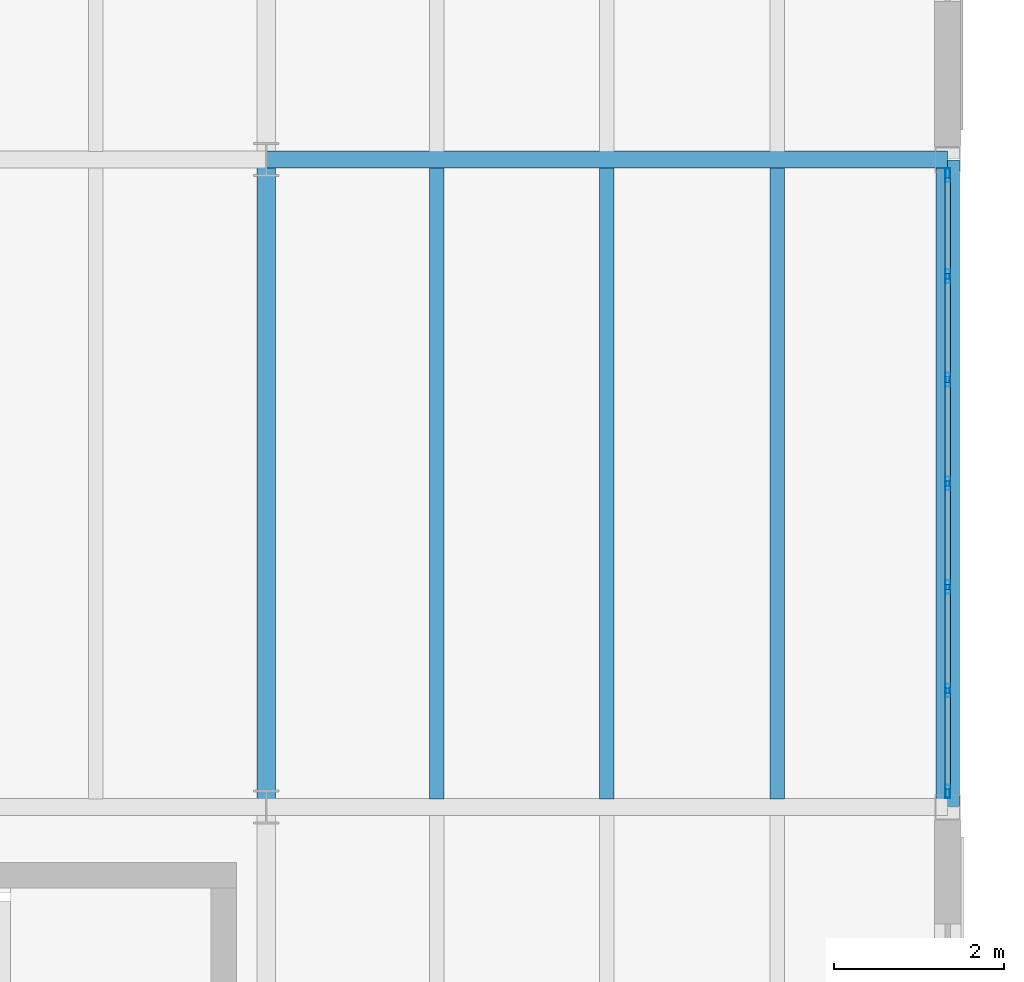
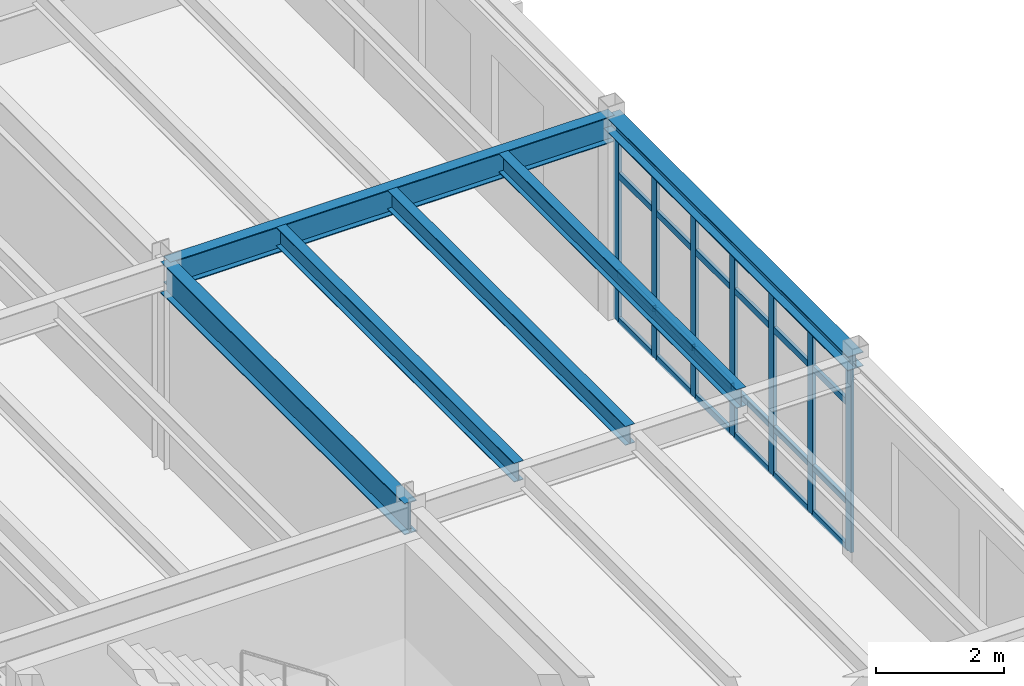
# One storey, part 102 of 165: 31 members, 6 beams, 1 element without a shape of its own.
"""IFC4 building model written with IfcOpenShell, lengths in metres."""

from ifc_helpers import new_model, si_unit, direction, frame, origin, origin_2d, place, context, subcontext, project, spatial, hollow_rectangle, i_section, extrude, material, layer, layer_set, material_profile, profile_set, type_object, element, aggregate, save


model = new_model("IFC4")

# Units and contexts
model_context = context("Model", 3, precision=1e-05, world=origin(), true_north=direction((0.0, 1.0)))
body_context = subcontext(model_context, "Body", "Model", "MODEL_VIEW")
ifc_project = project(units=[si_unit("LENGTHUNIT", "METRE"), si_unit("AREAUNIT", "SQUARE_METRE"), si_unit("VOLUMEUNIT", "CUBIC_METRE"), si_unit("PLANEANGLEUNIT", "RADIAN"), si_unit("MASSUNIT", "GRAM", prefix="KILO")], contexts=[model_context])

# Site, building, storey
site_placement = place(None, origin())
site = spatial("IfcSite", under=ifc_project, at=site_placement, CompositionType="ELEMENT")
building_placement = place(site_placement, origin())
building = spatial("IfcBuilding", under=site, at=building_placement, Name="Montecoro Central Library", CompositionType="ELEMENT")
storey_placement = place(building_placement, frame((0.0, 0.0, 5.10009765625)))
storey = spatial("IfcBuildingStorey", under=building, at=storey_placement, Name="L01", CompositionType="ELEMENT", Elevation=5.10009765625)

# Beams
ifc_material_1 = material(Name="Steel S355", Category="steel")
ifc_material_profile_1 = material_profile(ifc_material_1, i_section(OverallWidth=0.199951171875, OverallDepth=0.5, WebThickness=0.01025390625, FlangeThickness=0.01611328125, at=origin_2d()), Name="IPE 500")
ifc_profile_set_1 = profile_set([ifc_material_profile_1], Name="Steel S355")
beam_type_1 = type_object("IfcBeamType", Name="BM-G-IPE500", PredefinedType="USERDEFINED", material=ifc_profile_set_1)
beam_1_placement = place(storey_placement, frame((165.0048828125, 20.199951171875, 3.574951171875), z_axis=(1.0, 0.0, 0.0), x_axis=(0.0, 1.0, 0.0)))
element("IfcBeam", 1, at=beam_1_placement, inside=storey, type_object=beam_type_1, Name="V6-L01-BX-2122-C", ObjectType="GIRDER", PredefinedType="USERDEFINED", context=body_context, shape_type="SweptSolid", body=[
    extrude(i_section(OverallWidth=0.199951171875, OverallDepth=0.5, WebThickness=0.01025390625, FlangeThickness=0.01611328125, at=origin_2d()), origin(), (0.0, 0.0, 1.0), 7.990234375),
])
ifc_material_2 = material(Name="Steel S355J2", Category="steel")
ifc_material_profile_2 = material_profile(ifc_material_2, i_section(OverallWidth=0.219970703125, OverallDepth=0.60009765625, WebThickness=0.011962890625, FlangeThickness=0.01904296875, at=origin_2d()), Name="IPE 600")
ifc_profile_set_2 = profile_set([ifc_material_profile_2], Name="Steel S355J2")
beam_type_2 = type_object("IfcBeamType", Name="BM-G-IPE600", PredefinedType="USERDEFINED", material=ifc_profile_set_2)
beam_2_placement = place(storey_placement, frame((165.0, 12.60498046875, 3.52490234375), z_axis=(0.0, 1.0, 0.0), x_axis=(-1.0, 0.0, 0.0)))
element("IfcBeam", 2, at=beam_2_placement, inside=storey, type_object=beam_type_2, Name="V6-L01-BY-21-BC", ObjectType="GIRDER", PredefinedType="USERDEFINED", context=body_context, shape_type="SweptSolid", body=[
    extrude(i_section(OverallWidth=0.219970703125, OverallDepth=0.60009765625, WebThickness=0.011962890625, FlangeThickness=0.01904296875, at=origin_2d()), origin(), (0.0, 0.0, 1.0), 7.590087890625),
])
ifc_material_profile_3 = material_profile(ifc_material_1, i_section(OverallWidth=0.169921875, OverallDepth=0.360107421875, WebThickness=0.008056640625, FlangeThickness=0.0126953125, at=origin_2d()), Name="IPE 360")
ifc_profile_set_3 = profile_set([ifc_material_profile_3], Name="Steel S355")
beam_type_3 = type_object("IfcBeamType", Name="BM-J-IPE360", PredefinedType="JOIST", material=ifc_profile_set_3)
for number, where, z_axis, x_axis, name in (
    (3, (167.0, 12.697021484375, 3.64501953125), (0.0, 1.0, 0.0), (-1.0, 0.0, 0.0), "V6-L01-JS-2122-BC-1"),
    (4, (169.0, 12.697021484375, 3.64501953125), (0.0, 1.0, 0.0), (-1.0, 0.0, 0.0), "V6-L01-JS-2122-BC-2"),
    (5, (171.0, 12.697021484375, 3.64501953125), (0.0, 1.0, 0.0), (-1.0, 0.0, 0.0), "V6-L01-JS-2122-BC-3"),
):
    element("IfcBeam", number, at=place(storey_placement, frame(where, z_axis=z_axis, x_axis=x_axis)), inside=storey, type_object=beam_type_3, Name=name, PredefinedType="JOIST", context=body_context, shape_type="SweptSolid", body=[
        extrude(i_section(OverallWidth=0.169921875, OverallDepth=0.360107421875, WebThickness=0.008056640625, FlangeThickness=0.0126953125, at=origin_2d()), origin(), (0.0, 0.0, 1.0), 7.406005859375),
    ])
ifc_material_profile_4 = material_profile(ifc_material_1, i_section(OverallWidth=0.280029296875, OverallDepth=0.27001953125, WebThickness=0.008056640625, FlangeThickness=0.012939453125, at=origin_2d()), Name="HEA 280")
ifc_profile_set_4 = profile_set([ifc_material_profile_4], Name="Steel S355")
beam_type_4 = type_object("IfcBeamType", Name="BM-SP-HEA280", PredefinedType="SPANDREL", material=ifc_profile_set_4)
beam_3_placement = place(storey_placement, frame((173.0, 12.60498046875, 3.68994140625), z_axis=(0.0, 1.0, 0.0), x_axis=(-1.0, 0.0, 0.0)))
element("IfcBeam", 6, at=beam_3_placement, inside=storey, type_object=beam_type_4, Name="V6-L01-BY-22-BC", PredefinedType="SPANDREL", context=body_context, shape_type="SweptSolid", body=[
    extrude(i_section(OverallWidth=0.280029296875, OverallDepth=0.27001953125, WebThickness=0.008056640625, FlangeThickness=0.012939453125, at=origin_2d()), origin(), (0.0, 0.0, 1.0), 7.590087890625),
])

# Curtain wall, members
ifc_material_3 = material(Name="Bronze-anodised aluminium and low-E glazing", Category="aluminium")
ifc_layer = layer(ifc_material_3, 0.159912109375)
ifc_layer_set = layer_set([ifc_layer], Name="Bronze-anodised aluminium and low-E glazing")
curtain_wall_type = type_object("IfcCurtainWallType", Name="CWT-061", PredefinedType="NOTDEFINED", material=ifc_layer_set)
curtain_wall_placement = place(storey_placement, origin())
curtain_wall = element("IfcCurtainWall", 7, at=curtain_wall_placement, inside=storey, type_object=curtain_wall_type, Name="V6-L01-CW-E1", PredefinedType="NOTDEFINED")
ifc_material_4 = material(Name="Bronze-anodised aluminium", Category="aluminium")
ifc_material_profile_5 = material_profile(ifc_material_4, hollow_rectangle(XDim=0.06005859375, YDim=0.159912109375, WallThickness=0.00390625, at=origin_2d()), Name="CWM 160x60x4.0")
ifc_profile_set_5 = profile_set([ifc_material_profile_5], Name="Bronze-anodised aluminium")
member_type_1 = type_object("IfcMemberType", Name="CWM-BRZ-60", PredefinedType="MULLION", material=ifc_profile_set_5)
member_1_placement = place(storey_placement, frame((173.0, 12.782958984375, 0.0), z_axis=(0.0, 0.0, 1.0), x_axis=(-1.0, 0.0, 0.0)))
member_1 = element("IfcMember", 8, at=member_1_placement, type_object=member_type_1, Name="CW-061 mullion 1", PredefinedType="MULLION", context=body_context, shape_type="SweptSolid", body=[
    extrude(hollow_rectangle(XDim=0.06005859375, YDim=0.159912109375, WallThickness=0.00390625, at=origin_2d()), origin(), (0.0, 0.0, 1.0), 3.47998046875),
])
member_2_placement = place(storey_placement, frame((173.0, 13.96875, 0.0), z_axis=(0.0, 0.0, 1.0), x_axis=(-1.0, 0.0, 0.0)))
member_2 = element("IfcMember", 9, at=member_2_placement, type_object=member_type_1, Name="CW-061 mullion 2", PredefinedType="MULLION", context=body_context, shape_type="SweptSolid", body=[
    extrude(hollow_rectangle(XDim=0.06005859375, YDim=0.159912109375, WallThickness=0.00390625, at=origin_2d()), origin(), (0.0, 0.0, 1.0), 3.47998046875),
])
member_3_placement = place(storey_placement, frame((173.0, 15.184326171875, 0.0), z_axis=(0.0, 0.0, 1.0), x_axis=(-1.0, 0.0, 0.0)))
member_3 = element("IfcMember", 10, at=member_3_placement, type_object=member_type_1, Name="CW-061 mullion 3", PredefinedType="MULLION", context=body_context, shape_type="SweptSolid", body=[
    extrude(hollow_rectangle(XDim=0.06005859375, YDim=0.159912109375, WallThickness=0.00390625, at=origin_2d()), origin(), (0.0, 0.0, 1.0), 3.47998046875),
])
member_4_placement = place(storey_placement, frame((173.0, 16.39990234375, 0.0), z_axis=(0.0, 0.0, 1.0), x_axis=(-1.0, 0.0, 0.0)))
member_4 = element("IfcMember", 11, at=member_4_placement, type_object=member_type_1, Name="CW-061 mullion 4", PredefinedType="MULLION", context=body_context, shape_type="SweptSolid", body=[
    extrude(hollow_rectangle(XDim=0.06005859375, YDim=0.159912109375, WallThickness=0.00390625, at=origin_2d()), origin(), (0.0, 0.0, 1.0), 3.47998046875),
])
member_5_placement = place(storey_placement, frame((173.0, 17.61572265625, 0.0), z_axis=(0.0, 0.0, 1.0), x_axis=(-1.0, 0.0, 0.0)))
member_5 = element("IfcMember", 12, at=member_5_placement, type_object=member_type_1, Name="CW-061 mullion 5", PredefinedType="MULLION", context=body_context, shape_type="SweptSolid", body=[
    extrude(hollow_rectangle(XDim=0.06005859375, YDim=0.159912109375, WallThickness=0.00390625, at=origin_2d()), origin(), (0.0, 0.0, 1.0), 3.47998046875),
])
member_6_placement = place(storey_placement, frame((173.0, 18.831298828125, 0.0), z_axis=(0.0, 0.0, 1.0), x_axis=(-1.0, 0.0, 0.0)))
member_6 = element("IfcMember", 13, at=member_6_placement, type_object=member_type_1, Name="CW-061 mullion 6", PredefinedType="MULLION", context=body_context, shape_type="SweptSolid", body=[
    extrude(hollow_rectangle(XDim=0.06005859375, YDim=0.159912109375, WallThickness=0.00390625, at=origin_2d()), origin(), (0.0, 0.0, 1.0), 3.47998046875),
])
member_7_placement = place(storey_placement, frame((173.0, 20.01708984375, 0.0), z_axis=(0.0, 0.0, 1.0), x_axis=(-1.0, 0.0, 0.0)))
member_7 = element("IfcMember", 14, at=member_7_placement, type_object=member_type_1, Name="CW-061 mullion 7", PredefinedType="MULLION", context=body_context, shape_type="SweptSolid", body=[
    extrude(hollow_rectangle(XDim=0.06005859375, YDim=0.159912109375, WallThickness=0.00390625, at=origin_2d()), origin(), (0.0, 0.0, 1.0), 3.47998046875),
])
ifc_material_profile_6 = material_profile(ifc_material_4, hollow_rectangle(XDim=0.06005859375, YDim=0.1201171875, WallThickness=0.00390625, at=origin_2d()), Name="CWT 120x60x4.0")
ifc_profile_set_6 = profile_set([ifc_material_profile_6], Name="Bronze-anodised aluminium")
member_type_2 = type_object("IfcMemberType", Name="CWT-BRZ-60", PredefinedType="USERDEFINED", material=ifc_profile_set_6)
member_8_placement = place(storey_placement, frame((173.0, 12.81298828125, 0.02978515625), z_axis=(0.0, 1.0, 0.0), x_axis=(-1.0, 0.0, 0.0)))
member_8 = element("IfcMember", 15, at=member_8_placement, type_object=member_type_2, Name="CW-061 transom 1.1", ObjectType="TRANSOM", PredefinedType="USERDEFINED", context=body_context, shape_type="SweptSolid", body=[
    extrude(hollow_rectangle(XDim=0.06005859375, YDim=0.1201171875, WallThickness=0.00390625, at=origin_2d()), origin(), (0.0, 0.0, 1.0), 1.125732421875),
])
member_9_placement = place(storey_placement, frame((173.0, 12.81298828125, 0.89990234375), z_axis=(0.0, 1.0, 0.0), x_axis=(-1.0, 0.0, 0.0)))
member_9 = element("IfcMember", 16, at=member_9_placement, type_object=member_type_2, Name="CW-061 transom 1.2", ObjectType="TRANSOM", PredefinedType="USERDEFINED", context=body_context, shape_type="SweptSolid", body=[
    extrude(hollow_rectangle(XDim=0.06005859375, YDim=0.1201171875, WallThickness=0.00390625, at=origin_2d()), origin(), (0.0, 0.0, 1.0), 1.125732421875),
])
member_10_placement = place(storey_placement, frame((173.0, 12.81298828125, 2.77978515625), z_axis=(0.0, 1.0, 0.0), x_axis=(-1.0, 0.0, 0.0)))
member_10 = element("IfcMember", 17, at=member_10_placement, type_object=member_type_2, Name="CW-061 transom 1.3", ObjectType="TRANSOM", PredefinedType="USERDEFINED", context=body_context, shape_type="SweptSolid", body=[
    extrude(hollow_rectangle(XDim=0.06005859375, YDim=0.1201171875, WallThickness=0.00390625, at=origin_2d()), origin(), (0.0, 0.0, 1.0), 1.125732421875),
])
member_11_placement = place(storey_placement, frame((173.0, 12.81298828125, 3.449951171875), z_axis=(0.0, 1.0, 0.0), x_axis=(-1.0, 0.0, 0.0)))
member_11 = element("IfcMember", 18, at=member_11_placement, type_object=member_type_2, Name="CW-061 transom 1.4", ObjectType="TRANSOM", PredefinedType="USERDEFINED", context=body_context, shape_type="SweptSolid", body=[
    extrude(hollow_rectangle(XDim=0.06005859375, YDim=0.1201171875, WallThickness=0.00390625, at=origin_2d()), origin(), (0.0, 0.0, 1.0), 1.125732421875),
])
member_12_placement = place(storey_placement, frame((173.0, 13.998779296875, 0.02978515625), z_axis=(0.0, 1.0, 0.0), x_axis=(-1.0, 0.0, 0.0)))
member_12 = element("IfcMember", 19, at=member_12_placement, type_object=member_type_2, Name="CW-061 transom 2.1", ObjectType="TRANSOM", PredefinedType="USERDEFINED", context=body_context, shape_type="SweptSolid", body=[
    extrude(hollow_rectangle(XDim=0.06005859375, YDim=0.1201171875, WallThickness=0.00390625, at=origin_2d()), origin(), (0.0, 0.0, 1.0), 1.155517578125),
])
member_13_placement = place(storey_placement, frame((173.0, 13.998779296875, 0.89990234375), z_axis=(0.0, 1.0, 0.0), x_axis=(-1.0, 0.0, 0.0)))
member_13 = element("IfcMember", 20, at=member_13_placement, type_object=member_type_2, Name="CW-061 transom 2.2", ObjectType="TRANSOM", PredefinedType="USERDEFINED", context=body_context, shape_type="SweptSolid", body=[
    extrude(hollow_rectangle(XDim=0.06005859375, YDim=0.1201171875, WallThickness=0.00390625, at=origin_2d()), origin(), (0.0, 0.0, 1.0), 1.155517578125),
])
member_14_placement = place(storey_placement, frame((173.0, 13.998779296875, 2.77978515625), z_axis=(0.0, 1.0, 0.0), x_axis=(-1.0, 0.0, 0.0)))
member_14 = element("IfcMember", 21, at=member_14_placement, type_object=member_type_2, Name="CW-061 transom 2.3", ObjectType="TRANSOM", PredefinedType="USERDEFINED", context=body_context, shape_type="SweptSolid", body=[
    extrude(hollow_rectangle(XDim=0.06005859375, YDim=0.1201171875, WallThickness=0.00390625, at=origin_2d()), origin(), (0.0, 0.0, 1.0), 1.155517578125),
])
member_15_placement = place(storey_placement, frame((173.0, 13.998779296875, 3.449951171875), z_axis=(0.0, 1.0, 0.0), x_axis=(-1.0, 0.0, 0.0)))
member_15 = element("IfcMember", 22, at=member_15_placement, type_object=member_type_2, Name="CW-061 transom 2.4", ObjectType="TRANSOM", PredefinedType="USERDEFINED", context=body_context, shape_type="SweptSolid", body=[
    extrude(hollow_rectangle(XDim=0.06005859375, YDim=0.1201171875, WallThickness=0.00390625, at=origin_2d()), origin(), (0.0, 0.0, 1.0), 1.155517578125),
])
member_16_placement = place(storey_placement, frame((173.0, 15.21435546875, 0.02978515625), z_axis=(0.0, 1.0, 0.0), x_axis=(-1.0, 0.0, 0.0)))
member_16 = element("IfcMember", 23, at=member_16_placement, type_object=member_type_2, Name="CW-061 transom 3.1", ObjectType="TRANSOM", PredefinedType="USERDEFINED", context=body_context, shape_type="SweptSolid", body=[
    extrude(hollow_rectangle(XDim=0.06005859375, YDim=0.1201171875, WallThickness=0.00390625, at=origin_2d()), origin(), (0.0, 0.0, 1.0), 1.15576171875),
])
member_17_placement = place(storey_placement, frame((173.0, 15.21435546875, 0.89990234375), z_axis=(0.0, 1.0, 0.0), x_axis=(-1.0, 0.0, 0.0)))
member_17 = element("IfcMember", 24, at=member_17_placement, type_object=member_type_2, Name="CW-061 transom 3.2", ObjectType="TRANSOM", PredefinedType="USERDEFINED", context=body_context, shape_type="SweptSolid", body=[
    extrude(hollow_rectangle(XDim=0.06005859375, YDim=0.1201171875, WallThickness=0.00390625, at=origin_2d()), origin(), (0.0, 0.0, 1.0), 1.15576171875),
])
member_18_placement = place(storey_placement, frame((173.0, 15.21435546875, 2.77978515625), z_axis=(0.0, 1.0, 0.0), x_axis=(-1.0, 0.0, 0.0)))
member_18 = element("IfcMember", 25, at=member_18_placement, type_object=member_type_2, Name="CW-061 transom 3.3", ObjectType="TRANSOM", PredefinedType="USERDEFINED", context=body_context, shape_type="SweptSolid", body=[
    extrude(hollow_rectangle(XDim=0.06005859375, YDim=0.1201171875, WallThickness=0.00390625, at=origin_2d()), origin(), (0.0, 0.0, 1.0), 1.15576171875),
])
member_19_placement = place(storey_placement, frame((173.0, 15.21435546875, 3.449951171875), z_axis=(0.0, 1.0, 0.0), x_axis=(-1.0, 0.0, 0.0)))
member_19 = element("IfcMember", 26, at=member_19_placement, type_object=member_type_2, Name="CW-061 transom 3.4", ObjectType="TRANSOM", PredefinedType="USERDEFINED", context=body_context, shape_type="SweptSolid", body=[
    extrude(hollow_rectangle(XDim=0.06005859375, YDim=0.1201171875, WallThickness=0.00390625, at=origin_2d()), origin(), (0.0, 0.0, 1.0), 1.15576171875),
])
member_20_placement = place(storey_placement, frame((173.0, 16.429931640625, 0.02978515625), z_axis=(0.0, 1.0, 0.0), x_axis=(-1.0, 0.0, 0.0)))
member_20 = element("IfcMember", 27, at=member_20_placement, type_object=member_type_2, Name="CW-061 transom 4.1", ObjectType="TRANSOM", PredefinedType="USERDEFINED", context=body_context, shape_type="SweptSolid", body=[
    extrude(hollow_rectangle(XDim=0.06005859375, YDim=0.1201171875, WallThickness=0.00390625, at=origin_2d()), origin(), (0.0, 0.0, 1.0), 1.15576171875),
])
member_21_placement = place(storey_placement, frame((173.0, 16.429931640625, 0.89990234375), z_axis=(0.0, 1.0, 0.0), x_axis=(-1.0, 0.0, 0.0)))
member_21 = element("IfcMember", 28, at=member_21_placement, type_object=member_type_2, Name="CW-061 transom 4.2", ObjectType="TRANSOM", PredefinedType="USERDEFINED", context=body_context, shape_type="SweptSolid", body=[
    extrude(hollow_rectangle(XDim=0.06005859375, YDim=0.1201171875, WallThickness=0.00390625, at=origin_2d()), origin(), (0.0, 0.0, 1.0), 1.15576171875),
])
member_22_placement = place(storey_placement, frame((173.0, 16.429931640625, 2.77978515625), z_axis=(0.0, 1.0, 0.0), x_axis=(-1.0, 0.0, 0.0)))
member_22 = element("IfcMember", 29, at=member_22_placement, type_object=member_type_2, Name="CW-061 transom 4.3", ObjectType="TRANSOM", PredefinedType="USERDEFINED", context=body_context, shape_type="SweptSolid", body=[
    extrude(hollow_rectangle(XDim=0.06005859375, YDim=0.1201171875, WallThickness=0.00390625, at=origin_2d()), origin(), (0.0, 0.0, 1.0), 1.15576171875),
])
member_23_placement = place(storey_placement, frame((173.0, 16.429931640625, 3.449951171875), z_axis=(0.0, 1.0, 0.0), x_axis=(-1.0, 0.0, 0.0)))
member_23 = element("IfcMember", 30, at=member_23_placement, type_object=member_type_2, Name="CW-061 transom 4.4", ObjectType="TRANSOM", PredefinedType="USERDEFINED", context=body_context, shape_type="SweptSolid", body=[
    extrude(hollow_rectangle(XDim=0.06005859375, YDim=0.1201171875, WallThickness=0.00390625, at=origin_2d()), origin(), (0.0, 0.0, 1.0), 1.15576171875),
])
member_24_placement = place(storey_placement, frame((173.0, 17.645751953125, 0.02978515625), z_axis=(0.0, 1.0, 0.0), x_axis=(-1.0, 0.0, 0.0)))
member_24 = element("IfcMember", 31, at=member_24_placement, type_object=member_type_2, Name="CW-061 transom 5.1", ObjectType="TRANSOM", PredefinedType="USERDEFINED", context=body_context, shape_type="SweptSolid", body=[
    extrude(hollow_rectangle(XDim=0.06005859375, YDim=0.1201171875, WallThickness=0.00390625, at=origin_2d()), origin(), (0.0, 0.0, 1.0), 1.155517578125),
])
member_25_placement = place(storey_placement, frame((173.0, 17.645751953125, 0.89990234375), z_axis=(0.0, 1.0, 0.0), x_axis=(-1.0, 0.0, 0.0)))
member_25 = element("IfcMember", 32, at=member_25_placement, type_object=member_type_2, Name="CW-061 transom 5.2", ObjectType="TRANSOM", PredefinedType="USERDEFINED", context=body_context, shape_type="SweptSolid", body=[
    extrude(hollow_rectangle(XDim=0.06005859375, YDim=0.1201171875, WallThickness=0.00390625, at=origin_2d()), origin(), (0.0, 0.0, 1.0), 1.155517578125),
])
member_26_placement = place(storey_placement, frame((173.0, 17.645751953125, 2.77978515625), z_axis=(0.0, 1.0, 0.0), x_axis=(-1.0, 0.0, 0.0)))
member_26 = element("IfcMember", 33, at=member_26_placement, type_object=member_type_2, Name="CW-061 transom 5.3", ObjectType="TRANSOM", PredefinedType="USERDEFINED", context=body_context, shape_type="SweptSolid", body=[
    extrude(hollow_rectangle(XDim=0.06005859375, YDim=0.1201171875, WallThickness=0.00390625, at=origin_2d()), origin(), (0.0, 0.0, 1.0), 1.155517578125),
])
member_27_placement = place(storey_placement, frame((173.0, 17.645751953125, 3.449951171875), z_axis=(0.0, 1.0, 0.0), x_axis=(-1.0, 0.0, 0.0)))
member_27 = element("IfcMember", 34, at=member_27_placement, type_object=member_type_2, Name="CW-061 transom 5.4", ObjectType="TRANSOM", PredefinedType="USERDEFINED", context=body_context, shape_type="SweptSolid", body=[
    extrude(hollow_rectangle(XDim=0.06005859375, YDim=0.1201171875, WallThickness=0.00390625, at=origin_2d()), origin(), (0.0, 0.0, 1.0), 1.155517578125),
])
member_28_placement = place(storey_placement, frame((173.0, 18.861328125, 0.02978515625), z_axis=(0.0, 1.0, 0.0), x_axis=(-1.0, 0.0, 0.0)))
member_28 = element("IfcMember", 35, at=member_28_placement, type_object=member_type_2, Name="CW-061 transom 6.1", ObjectType="TRANSOM", PredefinedType="USERDEFINED", context=body_context, shape_type="SweptSolid", body=[
    extrude(hollow_rectangle(XDim=0.06005859375, YDim=0.1201171875, WallThickness=0.00390625, at=origin_2d()), origin(), (0.0, 0.0, 1.0), 1.125732421875),
])
member_29_placement = place(storey_placement, frame((173.0, 18.861328125, 0.89990234375), z_axis=(0.0, 1.0, 0.0), x_axis=(-1.0, 0.0, 0.0)))
member_29 = element("IfcMember", 36, at=member_29_placement, type_object=member_type_2, Name="CW-061 transom 6.2", ObjectType="TRANSOM", PredefinedType="USERDEFINED", context=body_context, shape_type="SweptSolid", body=[
    extrude(hollow_rectangle(XDim=0.06005859375, YDim=0.1201171875, WallThickness=0.00390625, at=origin_2d()), origin(), (0.0, 0.0, 1.0), 1.125732421875),
])
member_30_placement = place(storey_placement, frame((173.0, 18.861328125, 2.77978515625), z_axis=(0.0, 1.0, 0.0), x_axis=(-1.0, 0.0, 0.0)))
member_30 = element("IfcMember", 37, at=member_30_placement, type_object=member_type_2, Name="CW-061 transom 6.3", ObjectType="TRANSOM", PredefinedType="USERDEFINED", context=body_context, shape_type="SweptSolid", body=[
    extrude(hollow_rectangle(XDim=0.06005859375, YDim=0.1201171875, WallThickness=0.00390625, at=origin_2d()), origin(), (0.0, 0.0, 1.0), 1.125732421875),
])
member_31_placement = place(storey_placement, frame((173.0, 18.861328125, 3.449951171875), z_axis=(0.0, 1.0, 0.0), x_axis=(-1.0, 0.0, 0.0)))
member_31 = element("IfcMember", 38, at=member_31_placement, type_object=member_type_2, Name="CW-061 transom 6.4", ObjectType="TRANSOM", PredefinedType="USERDEFINED", context=body_context, shape_type="SweptSolid", body=[
    extrude(hollow_rectangle(XDim=0.06005859375, YDim=0.1201171875, WallThickness=0.00390625, at=origin_2d()), origin(), (0.0, 0.0, 1.0), 1.125732421875),
])
aggregate(curtain_wall, [member_1, member_2, member_3, member_4, member_5, member_6, member_7, member_8, member_9, member_10, member_11, member_12, member_13, member_14, member_15, member_16, member_17, member_18, member_19, member_20, member_21, member_22, member_23, member_24, member_25, member_26, member_27, member_28, member_29, member_30, member_31])

save(model, "model.ifc")
